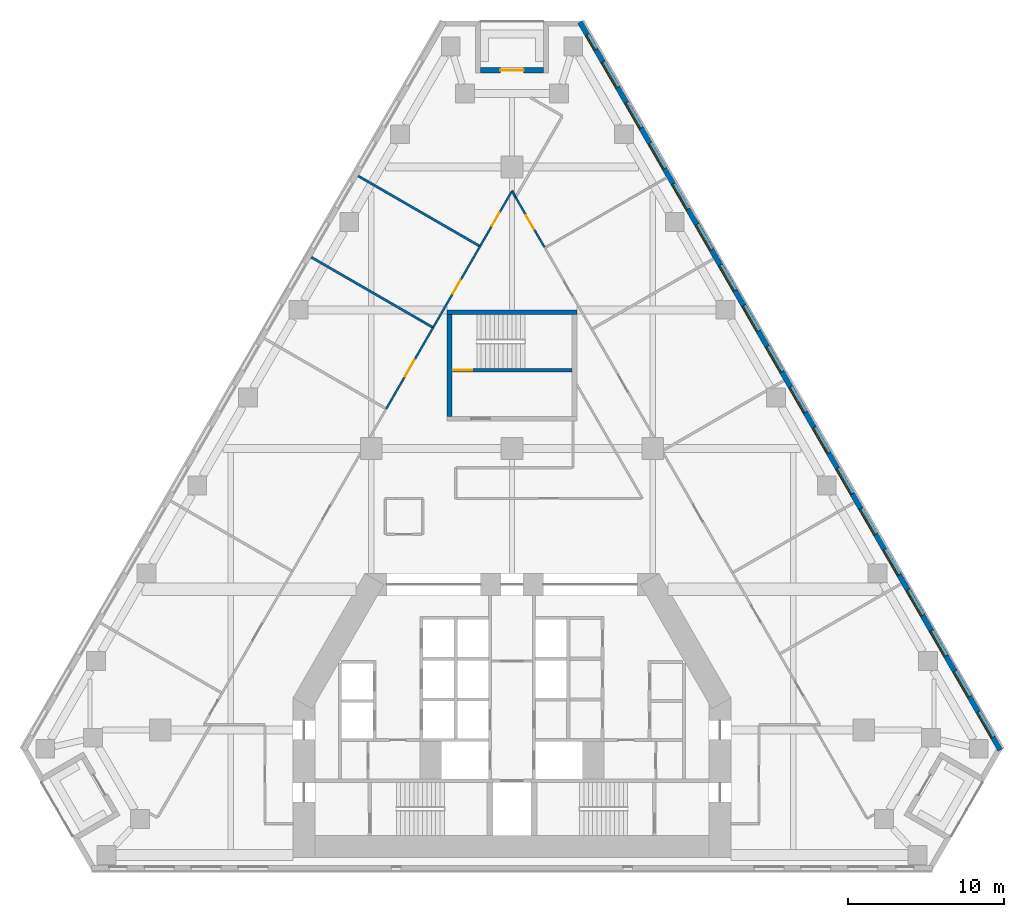
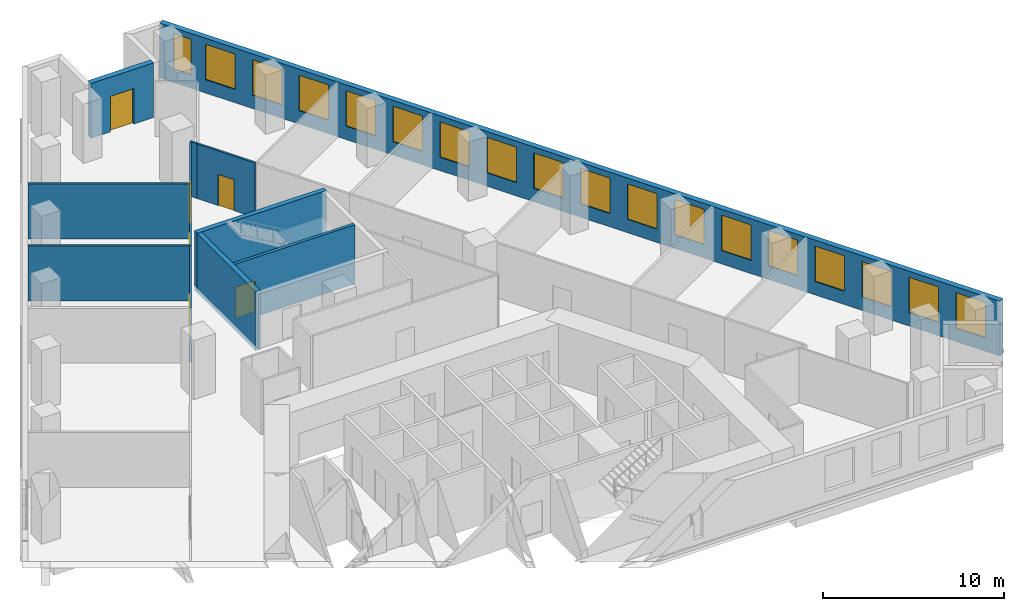
# One storey, part 7 of 9: 18 windows, 12 walls, 6 doors, 24 openings.
"""IFC4 building model written with IfcOpenShell, lengths in metres."""

from ifc_helpers import new_model, si_unit, direction, frame, frame_2d, origin, place, context, subcontext, project, spatial, rectangle, extrude, material, layer, layer_set, type_object, element, fill, save


model = new_model("IFC4")

# Units and contexts
model_context = context("Model", 3, precision=1e-05, world=origin(), true_north=direction((0.0, 1.0)))
body_context = subcontext(model_context, "Body", "Model", "MODEL_VIEW")
ifc_project = project(units=[si_unit("LENGTHUNIT", "METRE"), si_unit("AREAUNIT", "SQUARE_METRE"), si_unit("VOLUMEUNIT", "CUBIC_METRE"), si_unit("PLANEANGLEUNIT", "RADIAN"), si_unit("MASSUNIT", "GRAM", prefix="KILO")], contexts=[model_context])

# Site, building, storey
site_placement = place(None, origin())
site = spatial("IfcSite", under=ifc_project, at=site_placement, CompositionType="ELEMENT")
building_placement = place(site_placement, origin())
building = spatial("IfcBuilding", under=site, at=building_placement, Name="Fogline Exchange Tower", CompositionType="ELEMENT")
storey_placement = place(building_placement, frame((0.0, 0.0, 64.89990234375)))
storey = spatial("IfcBuildingStorey", under=building, at=storey_placement, Name="L13", CompositionType="ELEMENT", Elevation=64.89990234375)

# Wall, opening, door
ifc_material_1 = material(Name="Concrete C40", Category="concrete")
ifc_layer_1 = layer(ifc_material_1, 0.199951171875)
ifc_layer_set_1 = layer_set([ifc_layer_1], Name="CW20R")
wall_type_1 = type_object("IfcWallType", Name="CW20R", PredefinedType="SOLIDWALL", material=ifc_layer_set_1)
wall_1_placement = place(storey_placement, frame((-3.85009765625, 32.007080078125, -0.2998046875), z_axis=(0.0, 0.0, 1.0), x_axis=(1.0, 0.0, 0.0)))
wall_1 = element("IfcWall", 1, at=wall_1_placement, inside=storey, type_object=wall_type_1, Name="Stair enclosure wall ST3", PredefinedType="SOLIDWALL", context=body_context, shape_type="SweptSolid", body=[
    extrude(rectangle(XDim=7.7001953125, YDim=0.199951171875, at=frame_2d((3.85009765625, 0.0))), origin(), (0.0, 0.0, 1.0), 4.0),
])
opening_1_placement = place(wall_1_placement, frame((0.10009765625, 0.0, 0.300048828125)))
opening_1 = element("IfcOpeningElement", 2, at=opening_1_placement, cuts=wall_1, Name="Opening T04-C022", PredefinedType="OPENING", context=body_context, shape_type="SweptSolid", body=[
    extrude(rectangle(XDim=1.199951171875, YDim=2.10009765625, at=frame_2d((0.60009765625, 1.050048828125))), frame((0.0, 0.10986328125, 0.0), z_axis=(0.0, -1.0, 0.0), x_axis=(1.0, 0.0, 0.0)), (0.0, 0.0, 1.0), 0.219970703125),
])
ifc_material_2 = material(Name="Steel and timber fire door", Category="steel")
door_type_1 = type_object("IfcDoorType", Name="D-ST1", OperationType="SINGLE_SWING_LEFT", PredefinedType="DOOR", material=ifc_material_2)
door_1_placement = place(opening_1_placement, origin())
door_1 = element("IfcDoor", 3, at=door_1_placement, inside=storey, type_object=door_type_1, Name="Stair door ST3", OperationType="SINGLE_SWING_LEFT", OverallHeight=2.10009765625, OverallWidth=1.199951171875, PredefinedType="DOOR", context=body_context, shape_type="SweptSolid", body=[
    extrude(rectangle(XDim=1.199951171875, YDim=2.10009765625, at=frame_2d((0.60009765625, 1.050048828125))), frame((0.0, 0.02490234375, 0.0), z_axis=(0.0, -1.0, 0.0), x_axis=(1.0, 0.0, 0.0)), (0.0, 0.0, 1.0), 0.050048828125),
])
fill(opening_1, door_1)

# Walls
ifc_layer_2 = layer(ifc_material_1, 0.300048828125)
ifc_layer_set_2 = layer_set([ifc_layer_2], Name="CW30")
wall_type_2 = type_object("IfcWallType", Name="CW30", PredefinedType="SOLIDWALL", material=ifc_layer_set_2)
wall_2_placement = place(storey_placement, frame((-4.14990234375, 35.70703125, -0.2998046875), z_axis=(0.0, 0.0, 1.0), x_axis=(1.0, 0.0, 0.0)))
element("IfcWall", 4, at=wall_2_placement, inside=storey, type_object=wall_type_2, Name="Stair enclosure wall ST3", PredefinedType="SOLIDWALL", context=body_context, shape_type="SweptSolid", body=[
    extrude(rectangle(XDim=8.2998046875, YDim=0.300048828125, at=frame_2d((4.14990234375, 0.0))), origin(), (0.0, 0.0, 1.0), 4.0),
])
wall_3_placement = place(storey_placement, frame((-4.0, 29.056884765625, -0.2998046875), z_axis=(0.0, 0.0, 1.0), x_axis=(0.0, 1.0, 0.0)))
element("IfcWall", 5, at=wall_3_placement, inside=storey, type_object=wall_type_2, Name="Stair enclosure wall ST3", PredefinedType="SOLIDWALL", context=body_context, shape_type="SweptSolid", body=[
    extrude(rectangle(XDim=6.5, YDim=0.300048828125, at=frame_2d((3.25, 0.0))), origin(), (0.0, 0.0, 1.0), 4.0),
])

# Wall, openings, windows
ifc_material_3 = material(Name="Brick masonry", Category="masonry")
ifc_layer_3 = layer(ifc_material_3, 0.340087890625)
ifc_layer_set_3 = layer_set([ifc_layer_3], Name="FW1")
wall_type_3 = type_object("IfcWallType", Name="FW1", PredefinedType="SOLIDWALL", material=ifc_layer_set_3)
wall_4_placement = place(storey_placement, frame((31.235595703125, 7.709228515625, 0.0), z_axis=(0.0, 0.0, 1.0), x_axis=(-0.499999171277, 0.866025882247, 0.0)))
wall_4 = element("IfcWall", 6, at=wall_4_placement, inside=storey, type_object=wall_type_3, Name="Brick wall L13 E", PredefinedType="SOLIDWALL", context=body_context, shape_type="SweptSolid", body=[
    extrude(rectangle(XDim=53.765625, YDim=0.340087890625, at=frame_2d((26.8828125, 0.0))), origin(), (0.0, 0.0, 1.0), 3.7001953125),
])
opening_2_placement = place(wall_4_placement, frame((0.94140625, 0.0, 0.89990234375)))
opening_2 = element("IfcOpeningElement", 7, at=opening_2_placement, cuts=wall_4, Name="Opening W1", PredefinedType="OPENING", context=body_context, shape_type="SweptSolid", body=[
    extrude(rectangle(XDim=1.885009765625, YDim=2.39990234375, at=frame_2d((0.9423828125, 1.199951171875))), frame((0.0, 0.18017578125, 0.0), z_axis=(0.0, -1.0, 0.0), x_axis=(1.0, 0.0, 0.0)), (0.0, 0.0, 1.0), 0.360107421875),
])
opening_3_placement = place(wall_4_placement, frame((3.94140625, 0.0, 0.89990234375)))
opening_3 = element("IfcOpeningElement", 8, at=opening_3_placement, cuts=wall_4, Name="Opening W1", PredefinedType="OPENING", context=body_context, shape_type="SweptSolid", body=[
    extrude(rectangle(XDim=1.885009765625, YDim=2.39990234375, at=frame_2d((0.9423828125, 1.199951171875))), frame((0.0, 0.18017578125, 0.0), z_axis=(0.0, -1.0, 0.0), x_axis=(1.0, 0.0, 0.0)), (0.0, 0.0, 1.0), 0.360107421875),
])
opening_4_placement = place(wall_4_placement, frame((6.94140625, 0.0, 0.89990234375)))
opening_4 = element("IfcOpeningElement", 9, at=opening_4_placement, cuts=wall_4, Name="Opening W1", PredefinedType="OPENING", context=body_context, shape_type="SweptSolid", body=[
    extrude(rectangle(XDim=1.885009765625, YDim=2.39990234375, at=frame_2d((0.9423828125, 1.199951171875))), frame((0.0, 0.18017578125, 0.0), z_axis=(0.0, -1.0, 0.0), x_axis=(1.0, 0.0, 0.0)), (0.0, 0.0, 1.0), 0.360107421875),
])
opening_5_placement = place(wall_4_placement, frame((9.94140625, 0.0, 0.89990234375)))
opening_5 = element("IfcOpeningElement", 10, at=opening_5_placement, cuts=wall_4, Name="Opening W1", PredefinedType="OPENING", context=body_context, shape_type="SweptSolid", body=[
    extrude(rectangle(XDim=1.885009765625, YDim=2.39990234375, at=frame_2d((0.9423828125, 1.199951171875))), frame((0.0, 0.18017578125, 0.0), z_axis=(0.0, -1.0, 0.0), x_axis=(1.0, 0.0, 0.0)), (0.0, 0.0, 1.0), 0.360107421875),
])
opening_6_placement = place(wall_4_placement, frame((12.94140625, 0.0, 0.89990234375)))
opening_6 = element("IfcOpeningElement", 11, at=opening_6_placement, cuts=wall_4, Name="Opening W1", PredefinedType="OPENING", context=body_context, shape_type="SweptSolid", body=[
    extrude(rectangle(XDim=1.885009765625, YDim=2.39990234375, at=frame_2d((0.9423828125, 1.199951171875))), frame((0.0, 0.18017578125, 0.0), z_axis=(0.0, -1.0, 0.0), x_axis=(1.0, 0.0, 0.0)), (0.0, 0.0, 1.0), 0.360107421875),
])
opening_7_placement = place(wall_4_placement, frame((15.94140625, 0.0, 0.89990234375)))
opening_7 = element("IfcOpeningElement", 12, at=opening_7_placement, cuts=wall_4, Name="Opening W1", PredefinedType="OPENING", context=body_context, shape_type="SweptSolid", body=[
    extrude(rectangle(XDim=1.885009765625, YDim=2.39990234375, at=frame_2d((0.9423828125, 1.199951171875))), frame((0.0, 0.18017578125, 0.0), z_axis=(0.0, -1.0, 0.0), x_axis=(1.0, 0.0, 0.0)), (0.0, 0.0, 1.0), 0.360107421875),
])
opening_8_placement = place(wall_4_placement, frame((18.94140625, 0.0, 0.89990234375)))
opening_8 = element("IfcOpeningElement", 13, at=opening_8_placement, cuts=wall_4, Name="Opening W1", PredefinedType="OPENING", context=body_context, shape_type="SweptSolid", body=[
    extrude(rectangle(XDim=1.885009765625, YDim=2.39990234375, at=frame_2d((0.9423828125, 1.199951171875))), frame((0.0, 0.18017578125, 0.0), z_axis=(0.0, -1.0, 0.0), x_axis=(1.0, 0.0, 0.0)), (0.0, 0.0, 1.0), 0.360107421875),
])
opening_9_placement = place(wall_4_placement, frame((21.94140625, 0.0, 0.89990234375)))
opening_9 = element("IfcOpeningElement", 14, at=opening_9_placement, cuts=wall_4, Name="Opening W1", PredefinedType="OPENING", context=body_context, shape_type="SweptSolid", body=[
    extrude(rectangle(XDim=1.885009765625, YDim=2.39990234375, at=frame_2d((0.9423828125, 1.199951171875))), frame((0.0, 0.18017578125, 0.0), z_axis=(0.0, -1.0, 0.0), x_axis=(1.0, 0.0, 0.0)), (0.0, 0.0, 1.0), 0.360107421875),
])
opening_10_placement = place(wall_4_placement, frame((24.94140625, 0.0, 0.89990234375)))
opening_10 = element("IfcOpeningElement", 15, at=opening_10_placement, cuts=wall_4, Name="Opening W1", PredefinedType="OPENING", context=body_context, shape_type="SweptSolid", body=[
    extrude(rectangle(XDim=1.885009765625, YDim=2.39990234375, at=frame_2d((0.9423828125, 1.199951171875))), frame((0.0, 0.18017578125, 0.0), z_axis=(0.0, -1.0, 0.0), x_axis=(1.0, 0.0, 0.0)), (0.0, 0.0, 1.0), 0.360107421875),
])
opening_11_placement = place(wall_4_placement, frame((27.94140625, 0.0, 0.89990234375)))
opening_11 = element("IfcOpeningElement", 16, at=opening_11_placement, cuts=wall_4, Name="Opening W1", PredefinedType="OPENING", context=body_context, shape_type="SweptSolid", body=[
    extrude(rectangle(XDim=1.885009765625, YDim=2.39990234375, at=frame_2d((0.9423828125, 1.199951171875))), frame((0.0, 0.18017578125, 0.0), z_axis=(0.0, -1.0, 0.0), x_axis=(1.0, 0.0, 0.0)), (0.0, 0.0, 1.0), 0.360107421875),
])
opening_12_placement = place(wall_4_placement, frame((30.94140625, 0.0, 0.89990234375)))
opening_12 = element("IfcOpeningElement", 17, at=opening_12_placement, cuts=wall_4, Name="Opening W1", PredefinedType="OPENING", context=body_context, shape_type="SweptSolid", body=[
    extrude(rectangle(XDim=1.885009765625, YDim=2.39990234375, at=frame_2d((0.9423828125, 1.199951171875))), frame((0.0, 0.18017578125, 0.0), z_axis=(0.0, -1.0, 0.0), x_axis=(1.0, 0.0, 0.0)), (0.0, 0.0, 1.0), 0.360107421875),
])
opening_13_placement = place(wall_4_placement, frame((33.94140625, 0.0, 0.89990234375)))
opening_13 = element("IfcOpeningElement", 18, at=opening_13_placement, cuts=wall_4, Name="Opening W1", PredefinedType="OPENING", context=body_context, shape_type="SweptSolid", body=[
    extrude(rectangle(XDim=1.885009765625, YDim=2.39990234375, at=frame_2d((0.9423828125, 1.199951171875))), frame((0.0, 0.18017578125, 0.0), z_axis=(0.0, -1.0, 0.0), x_axis=(1.0, 0.0, 0.0)), (0.0, 0.0, 1.0), 0.360107421875),
])
opening_14_placement = place(wall_4_placement, frame((36.94140625, 0.0, 0.89990234375)))
opening_14 = element("IfcOpeningElement", 19, at=opening_14_placement, cuts=wall_4, Name="Opening W1", PredefinedType="OPENING", context=body_context, shape_type="SweptSolid", body=[
    extrude(rectangle(XDim=1.885009765625, YDim=2.39990234375, at=frame_2d((0.9423828125, 1.199951171875))), frame((0.0, 0.18017578125, 0.0), z_axis=(0.0, -1.0, 0.0), x_axis=(1.0, 0.0, 0.0)), (0.0, 0.0, 1.0), 0.360107421875),
])
opening_15_placement = place(wall_4_placement, frame((39.94140625, 0.0, 0.89990234375)))
opening_15 = element("IfcOpeningElement", 20, at=opening_15_placement, cuts=wall_4, Name="Opening W1", PredefinedType="OPENING", context=body_context, shape_type="SweptSolid", body=[
    extrude(rectangle(XDim=1.885009765625, YDim=2.39990234375, at=frame_2d((0.9423828125, 1.199951171875))), frame((0.0, 0.18017578125, 0.0), z_axis=(0.0, -1.0, 0.0), x_axis=(1.0, 0.0, 0.0)), (0.0, 0.0, 1.0), 0.360107421875),
])
opening_16_placement = place(wall_4_placement, frame((42.94140625, 0.0, 0.89990234375)))
opening_16 = element("IfcOpeningElement", 21, at=opening_16_placement, cuts=wall_4, Name="Opening W1", PredefinedType="OPENING", context=body_context, shape_type="SweptSolid", body=[
    extrude(rectangle(XDim=1.885009765625, YDim=2.39990234375, at=frame_2d((0.9423828125, 1.199951171875))), frame((0.0, 0.18017578125, 0.0), z_axis=(0.0, -1.0, 0.0), x_axis=(1.0, 0.0, 0.0)), (0.0, 0.0, 1.0), 0.360107421875),
])
opening_17_placement = place(wall_4_placement, frame((45.94140625, 0.0, 0.89990234375)))
opening_17 = element("IfcOpeningElement", 22, at=opening_17_placement, cuts=wall_4, Name="Opening W1", PredefinedType="OPENING", context=body_context, shape_type="SweptSolid", body=[
    extrude(rectangle(XDim=1.885009765625, YDim=2.39990234375, at=frame_2d((0.9423828125, 1.199951171875))), frame((0.0, 0.18017578125, 0.0), z_axis=(0.0, -1.0, 0.0), x_axis=(1.0, 0.0, 0.0)), (0.0, 0.0, 1.0), 0.360107421875),
])
opening_18_placement = place(wall_4_placement, frame((48.94140625, 0.0, 0.89990234375)))
opening_18 = element("IfcOpeningElement", 23, at=opening_18_placement, cuts=wall_4, Name="Opening W1", PredefinedType="OPENING", context=body_context, shape_type="SweptSolid", body=[
    extrude(rectangle(XDim=1.885009765625, YDim=2.39990234375, at=frame_2d((0.9423828125, 1.199951171875))), frame((0.0, 0.18017578125, 0.0), z_axis=(0.0, -1.0, 0.0), x_axis=(1.0, 0.0, 0.0)), (0.0, 0.0, 1.0), 0.360107421875),
])
opening_19_placement = place(wall_4_placement, frame((51.738525390625, 0.0, 0.89990234375)))
opening_19 = element("IfcOpeningElement", 24, at=opening_19_placement, cuts=wall_4, Name="Opening W4", PredefinedType="OPENING", context=body_context, shape_type="SweptSolid", body=[
    extrude(rectangle(XDim=1.114990234375, YDim=2.39990234375, at=frame_2d((0.5576171875, 1.199951171875))), frame((0.0, 0.18017578125, 0.0), z_axis=(0.0, -1.0, 0.0), x_axis=(1.0, 0.0, 0.0)), (0.0, 0.0, 1.0), 0.360107421875),
])
ifc_material_4 = material(Name="Aluminium and glass", Category="aluminium")
window_type_1 = type_object("IfcWindowType", Name="W1", PartitioningType="SINGLE_PANEL", PredefinedType="WINDOW", material=ifc_material_4)
window_1_placement = place(opening_2_placement, origin())
window_1 = element("IfcWindow", 25, at=window_1_placement, inside=storey, type_object=window_type_1, Name="W1 W1", OverallHeight=2.39990234375, OverallWidth=1.885009765625, PartitioningType="SINGLE_PANEL", PredefinedType="WINDOW", context=body_context, shape_type="SweptSolid", body=[
    extrude(rectangle(XDim=1.885009765625, YDim=2.39990234375, at=frame_2d((0.9423828125, 1.199951171875))), frame((0.0, 0.110107421875, 0.0), z_axis=(0.0, -1.0, 0.0), x_axis=(1.0, 0.0, 0.0)), (0.0, 0.0, 1.0), 0.06005859375),
])
fill(opening_2, window_1)
window_2_placement = place(opening_3_placement, origin())
window_2 = element("IfcWindow", 26, at=window_2_placement, inside=storey, type_object=window_type_1, Name="W1 W1", OverallHeight=2.39990234375, OverallWidth=1.885009765625, PartitioningType="SINGLE_PANEL", PredefinedType="WINDOW", context=body_context, shape_type="SweptSolid", body=[
    extrude(rectangle(XDim=1.885009765625, YDim=2.39990234375, at=frame_2d((0.9423828125, 1.199951171875))), frame((0.0, 0.110107421875, 0.0), z_axis=(0.0, -1.0, 0.0), x_axis=(1.0, 0.0, 0.0)), (0.0, 0.0, 1.0), 0.06005859375),
])
fill(opening_3, window_2)
window_3_placement = place(opening_4_placement, origin())
window_3 = element("IfcWindow", 27, at=window_3_placement, inside=storey, type_object=window_type_1, Name="W1 W1", OverallHeight=2.39990234375, OverallWidth=1.885009765625, PartitioningType="SINGLE_PANEL", PredefinedType="WINDOW", context=body_context, shape_type="SweptSolid", body=[
    extrude(rectangle(XDim=1.885009765625, YDim=2.39990234375, at=frame_2d((0.9423828125, 1.199951171875))), frame((0.0, 0.110107421875, 0.0), z_axis=(0.0, -1.0, 0.0), x_axis=(1.0, 0.0, 0.0)), (0.0, 0.0, 1.0), 0.06005859375),
])
fill(opening_4, window_3)
window_4_placement = place(opening_5_placement, origin())
window_4 = element("IfcWindow", 28, at=window_4_placement, inside=storey, type_object=window_type_1, Name="W1 W1", OverallHeight=2.39990234375, OverallWidth=1.885009765625, PartitioningType="SINGLE_PANEL", PredefinedType="WINDOW", context=body_context, shape_type="SweptSolid", body=[
    extrude(rectangle(XDim=1.885009765625, YDim=2.39990234375, at=frame_2d((0.9423828125, 1.199951171875))), frame((0.0, 0.110107421875, 0.0), z_axis=(0.0, -1.0, 0.0), x_axis=(1.0, 0.0, 0.0)), (0.0, 0.0, 1.0), 0.06005859375),
])
fill(opening_5, window_4)
window_5_placement = place(opening_6_placement, origin())
window_5 = element("IfcWindow", 29, at=window_5_placement, inside=storey, type_object=window_type_1, Name="W1 W1", OverallHeight=2.39990234375, OverallWidth=1.885009765625, PartitioningType="SINGLE_PANEL", PredefinedType="WINDOW", context=body_context, shape_type="SweptSolid", body=[
    extrude(rectangle(XDim=1.885009765625, YDim=2.39990234375, at=frame_2d((0.9423828125, 1.199951171875))), frame((0.0, 0.110107421875, 0.0), z_axis=(0.0, -1.0, 0.0), x_axis=(1.0, 0.0, 0.0)), (0.0, 0.0, 1.0), 0.06005859375),
])
fill(opening_6, window_5)
window_6_placement = place(opening_7_placement, origin())
window_6 = element("IfcWindow", 30, at=window_6_placement, inside=storey, type_object=window_type_1, Name="W1 W1", OverallHeight=2.39990234375, OverallWidth=1.885009765625, PartitioningType="SINGLE_PANEL", PredefinedType="WINDOW", context=body_context, shape_type="SweptSolid", body=[
    extrude(rectangle(XDim=1.885009765625, YDim=2.39990234375, at=frame_2d((0.9423828125, 1.199951171875))), frame((0.0, 0.110107421875, 0.0), z_axis=(0.0, -1.0, 0.0), x_axis=(1.0, 0.0, 0.0)), (0.0, 0.0, 1.0), 0.06005859375),
])
fill(opening_7, window_6)
window_7_placement = place(opening_8_placement, origin())
window_7 = element("IfcWindow", 31, at=window_7_placement, inside=storey, type_object=window_type_1, Name="W1 W1", OverallHeight=2.39990234375, OverallWidth=1.885009765625, PartitioningType="SINGLE_PANEL", PredefinedType="WINDOW", context=body_context, shape_type="SweptSolid", body=[
    extrude(rectangle(XDim=1.885009765625, YDim=2.39990234375, at=frame_2d((0.9423828125, 1.199951171875))), frame((0.0, 0.110107421875, 0.0), z_axis=(0.0, -1.0, 0.0), x_axis=(1.0, 0.0, 0.0)), (0.0, 0.0, 1.0), 0.06005859375),
])
fill(opening_8, window_7)
window_8_placement = place(opening_9_placement, origin())
window_8 = element("IfcWindow", 32, at=window_8_placement, inside=storey, type_object=window_type_1, Name="W1 W1", OverallHeight=2.39990234375, OverallWidth=1.885009765625, PartitioningType="SINGLE_PANEL", PredefinedType="WINDOW", context=body_context, shape_type="SweptSolid", body=[
    extrude(rectangle(XDim=1.885009765625, YDim=2.39990234375, at=frame_2d((0.9423828125, 1.199951171875))), frame((0.0, 0.110107421875, 0.0), z_axis=(0.0, -1.0, 0.0), x_axis=(1.0, 0.0, 0.0)), (0.0, 0.0, 1.0), 0.06005859375),
])
fill(opening_9, window_8)
window_9_placement = place(opening_10_placement, origin())
window_9 = element("IfcWindow", 33, at=window_9_placement, inside=storey, type_object=window_type_1, Name="W1 W1", OverallHeight=2.39990234375, OverallWidth=1.885009765625, PartitioningType="SINGLE_PANEL", PredefinedType="WINDOW", context=body_context, shape_type="SweptSolid", body=[
    extrude(rectangle(XDim=1.885009765625, YDim=2.39990234375, at=frame_2d((0.9423828125, 1.199951171875))), frame((0.0, 0.110107421875, 0.0), z_axis=(0.0, -1.0, 0.0), x_axis=(1.0, 0.0, 0.0)), (0.0, 0.0, 1.0), 0.06005859375),
])
fill(opening_10, window_9)
window_10_placement = place(opening_11_placement, origin())
window_10 = element("IfcWindow", 34, at=window_10_placement, inside=storey, type_object=window_type_1, Name="W1 W1", OverallHeight=2.39990234375, OverallWidth=1.885009765625, PartitioningType="SINGLE_PANEL", PredefinedType="WINDOW", context=body_context, shape_type="SweptSolid", body=[
    extrude(rectangle(XDim=1.885009765625, YDim=2.39990234375, at=frame_2d((0.9423828125, 1.199951171875))), frame((0.0, 0.110107421875, 0.0), z_axis=(0.0, -1.0, 0.0), x_axis=(1.0, 0.0, 0.0)), (0.0, 0.0, 1.0), 0.06005859375),
])
fill(opening_11, window_10)
window_11_placement = place(opening_12_placement, origin())
window_11 = element("IfcWindow", 35, at=window_11_placement, inside=storey, type_object=window_type_1, Name="W1 W1", OverallHeight=2.39990234375, OverallWidth=1.885009765625, PartitioningType="SINGLE_PANEL", PredefinedType="WINDOW", context=body_context, shape_type="SweptSolid", body=[
    extrude(rectangle(XDim=1.885009765625, YDim=2.39990234375, at=frame_2d((0.9423828125, 1.199951171875))), frame((0.0, 0.110107421875, 0.0), z_axis=(0.0, -1.0, 0.0), x_axis=(1.0, 0.0, 0.0)), (0.0, 0.0, 1.0), 0.06005859375),
])
fill(opening_12, window_11)
window_12_placement = place(opening_13_placement, origin())
window_12 = element("IfcWindow", 36, at=window_12_placement, inside=storey, type_object=window_type_1, Name="W1 W1", OverallHeight=2.39990234375, OverallWidth=1.885009765625, PartitioningType="SINGLE_PANEL", PredefinedType="WINDOW", context=body_context, shape_type="SweptSolid", body=[
    extrude(rectangle(XDim=1.885009765625, YDim=2.39990234375, at=frame_2d((0.9423828125, 1.199951171875))), frame((0.0, 0.110107421875, 0.0), z_axis=(0.0, -1.0, 0.0), x_axis=(1.0, 0.0, 0.0)), (0.0, 0.0, 1.0), 0.06005859375),
])
fill(opening_13, window_12)
window_13_placement = place(opening_14_placement, origin())
window_13 = element("IfcWindow", 37, at=window_13_placement, inside=storey, type_object=window_type_1, Name="W1 W1", OverallHeight=2.39990234375, OverallWidth=1.885009765625, PartitioningType="SINGLE_PANEL", PredefinedType="WINDOW", context=body_context, shape_type="SweptSolid", body=[
    extrude(rectangle(XDim=1.885009765625, YDim=2.39990234375, at=frame_2d((0.9423828125, 1.199951171875))), frame((0.0, 0.110107421875, 0.0), z_axis=(0.0, -1.0, 0.0), x_axis=(1.0, 0.0, 0.0)), (0.0, 0.0, 1.0), 0.06005859375),
])
fill(opening_14, window_13)
window_14_placement = place(opening_15_placement, origin())
window_14 = element("IfcWindow", 38, at=window_14_placement, inside=storey, type_object=window_type_1, Name="W1 W1", OverallHeight=2.39990234375, OverallWidth=1.885009765625, PartitioningType="SINGLE_PANEL", PredefinedType="WINDOW", context=body_context, shape_type="SweptSolid", body=[
    extrude(rectangle(XDim=1.885009765625, YDim=2.39990234375, at=frame_2d((0.9423828125, 1.199951171875))), frame((0.0, 0.110107421875, 0.0), z_axis=(0.0, -1.0, 0.0), x_axis=(1.0, 0.0, 0.0)), (0.0, 0.0, 1.0), 0.06005859375),
])
fill(opening_15, window_14)
window_15_placement = place(opening_16_placement, origin())
window_15 = element("IfcWindow", 39, at=window_15_placement, inside=storey, type_object=window_type_1, Name="W1 W1", OverallHeight=2.39990234375, OverallWidth=1.885009765625, PartitioningType="SINGLE_PANEL", PredefinedType="WINDOW", context=body_context, shape_type="SweptSolid", body=[
    extrude(rectangle(XDim=1.885009765625, YDim=2.39990234375, at=frame_2d((0.9423828125, 1.199951171875))), frame((0.0, 0.110107421875, 0.0), z_axis=(0.0, -1.0, 0.0), x_axis=(1.0, 0.0, 0.0)), (0.0, 0.0, 1.0), 0.06005859375),
])
fill(opening_16, window_15)
window_16_placement = place(opening_17_placement, origin())
window_16 = element("IfcWindow", 40, at=window_16_placement, inside=storey, type_object=window_type_1, Name="W1 W1", OverallHeight=2.39990234375, OverallWidth=1.885009765625, PartitioningType="SINGLE_PANEL", PredefinedType="WINDOW", context=body_context, shape_type="SweptSolid", body=[
    extrude(rectangle(XDim=1.885009765625, YDim=2.39990234375, at=frame_2d((0.9423828125, 1.199951171875))), frame((0.0, 0.110107421875, 0.0), z_axis=(0.0, -1.0, 0.0), x_axis=(1.0, 0.0, 0.0)), (0.0, 0.0, 1.0), 0.06005859375),
])
fill(opening_17, window_16)
window_17_placement = place(opening_18_placement, origin())
window_17 = element("IfcWindow", 41, at=window_17_placement, inside=storey, type_object=window_type_1, Name="W1 W1", OverallHeight=2.39990234375, OverallWidth=1.885009765625, PartitioningType="SINGLE_PANEL", PredefinedType="WINDOW", context=body_context, shape_type="SweptSolid", body=[
    extrude(rectangle(XDim=1.885009765625, YDim=2.39990234375, at=frame_2d((0.9423828125, 1.199951171875))), frame((0.0, 0.110107421875, 0.0), z_axis=(0.0, -1.0, 0.0), x_axis=(1.0, 0.0, 0.0)), (0.0, 0.0, 1.0), 0.06005859375),
])
fill(opening_18, window_17)
window_type_2 = type_object("IfcWindowType", Name="W4", PartitioningType="SINGLE_PANEL", PredefinedType="WINDOW", material=ifc_material_4)
window_18_placement = place(opening_19_placement, origin())
window_18 = element("IfcWindow", 42, at=window_18_placement, inside=storey, type_object=window_type_2, Name="W4 W4", OverallHeight=2.39990234375, OverallWidth=1.114990234375, PartitioningType="SINGLE_PANEL", PredefinedType="WINDOW", context=body_context, shape_type="SweptSolid", body=[
    extrude(rectangle(XDim=1.114990234375, YDim=2.39990234375, at=frame_2d((0.5576171875, 1.199951171875))), frame((0.0, 0.110107421875, 0.0), z_axis=(0.0, -1.0, 0.0), x_axis=(1.0, 0.0, 0.0)), (0.0, 0.0, 1.0), 0.06005859375),
])
fill(opening_19, window_18)

# Wall, opening, door
wall_5_placement = place(storey_placement, frame((2.0, 51.186767578125, 0.0), z_axis=(0.0, 0.0, 1.0), x_axis=(-1.0, 0.0, 0.0)))
wall_5 = element("IfcWall", 43, at=wall_5_placement, inside=storey, type_object=wall_type_3, Name="Brick wall L13 N-bk", PredefinedType="SOLIDWALL", context=body_context, shape_type="SweptSolid", body=[
    extrude(rectangle(XDim=4.0, YDim=0.340087890625, at=frame_2d((2.0, 0.0))), origin(), (0.0, 0.0, 1.0), 3.7001953125),
])
opening_20_placement = place(wall_5_placement, frame((1.25, 0.0, 0.0)))
opening_20 = element("IfcOpeningElement", 44, at=opening_20_placement, cuts=wall_5, Name="Opening T04-E141", PredefinedType="OPENING", context=body_context, shape_type="SweptSolid", body=[
    extrude(rectangle(XDim=1.5, YDim=2.39990234375, at=frame_2d((0.75, 1.199951171875))), frame((0.0, 0.18017578125, 0.0), z_axis=(0.0, -1.0, 0.0), x_axis=(1.0, 0.0, 0.0)), (0.0, 0.0, 1.0), 0.360107421875),
])
door_type_2 = type_object("IfcDoorType", Name="ED4", OperationType="SINGLE_SWING_LEFT", PredefinedType="DOOR", material=ifc_material_4)
door_2_placement = place(opening_20_placement, frame((1.5, 0.0, 0.0), z_axis=(0.0, 0.0, 1.0), x_axis=(-1.0, 0.0, 0.0)))
door_2 = element("IfcDoor", 45, at=door_2_placement, inside=storey, type_object=door_type_2, Name="Balcony door L13 N", OperationType="DOUBLE_DOOR_SINGLE_SWING", OverallHeight=2.39990234375, OverallWidth=1.5, PredefinedType="DOOR", context=body_context, shape_type="SweptSolid", body=[
    extrude(rectangle(XDim=1.5, YDim=2.39990234375, at=frame_2d((0.75, 1.199951171875))), frame((0.0, 0.02490234375, 0.0), z_axis=(0.0, -1.0, 0.0), x_axis=(1.0, 0.0, 0.0)), (0.0, 0.0, 1.0), 0.050048828125),
])
fill(opening_20, door_2)

ifc_material_5 = material(Name="Plasterboard corridor partition with mineral wool, 2 layers each side")
ifc_layer_4 = layer(ifc_material_5, 0.125)
ifc_layer_set_4 = layer_set([ifc_layer_4], Name="PW2")
wall_type_4 = type_object("IfcWallType", Name="PW2", PredefinedType="PARTITIONING", material=ifc_layer_set_4)
wall_6_placement = place(storey_placement, frame((0.23095703125, 43.07080078125, 0.0), z_axis=(0.0, 0.0, 1.0), x_axis=(0.500001035316, -0.866024806044, 0.0)))
wall_6 = element("IfcWall", 46, at=wall_6_placement, inside=storey, type_object=wall_type_4, Name="wall-L13-W013", PredefinedType="PARTITIONING", context=body_context, shape_type="SweptSolid", body=[
    extrude(rectangle(XDim=3.69189453125, YDim=0.125, at=frame_2d((1.845947265625, 0.0))), origin(), (0.0, 0.0, 1.0), 3.7001953125),
])
opening_21_placement = place(wall_6_placement, frame((1.345947265625, 0.0, 0.0)))
opening_21 = element("IfcOpeningElement", 47, at=opening_21_placement, cuts=wall_6, Name="Opening T04-D008", PredefinedType="OPENING", context=body_context, shape_type="SweptSolid", body=[
    extrude(rectangle(XDim=1.0, YDim=2.10009765625, at=frame_2d((0.5, 1.050048828125))), frame((0.0, 0.072509765625, 0.0), z_axis=(0.0, -1.0, 0.0), x_axis=(1.0, 0.0, 0.0)), (0.0, 0.0, 1.0), 0.14501953125),
])
ifc_material_6 = material(Name="Fire-rated timber door leaf with steel frame", Category="steel")
door_type_3 = type_object("IfcDoorType", Name="D3", OperationType="SINGLE_SWING_LEFT", PredefinedType="DOOR", material=ifc_material_6)
door_3_placement = place(opening_21_placement, origin())
door_3 = element("IfcDoor", 48, at=door_3_placement, inside=storey, type_object=door_type_3, Name="door-L13-D008", OperationType="SINGLE_SWING_LEFT", OverallHeight=2.10009765625, OverallWidth=1.0, PredefinedType="DOOR", context=body_context, shape_type="SweptSolid", body=[
    extrude(rectangle(XDim=1.0, YDim=2.10009765625, at=frame_2d((0.5, 1.050048828125))), frame((0.0, 0.02490234375, 0.0), z_axis=(0.0, -1.0, 0.0), x_axis=(1.0, 0.0, 0.0)), (0.0, 0.0, 1.0), 0.050048828125),
])
fill(opening_21, door_3)

wall_7_placement = place(storey_placement, frame((-2.044677734375, 39.929443359375, 0.0), z_axis=(0.0, 0.0, 1.0), x_axis=(0.499991453095, 0.866030338286, 0.0)))
wall_7 = element("IfcWall", 49, at=wall_7_placement, inside=storey, type_object=wall_type_4, Name="wall-L13-W014", PredefinedType="PARTITIONING", context=body_context, shape_type="SweptSolid", body=[
    extrude(rectangle(XDim=3.98046875, YDim=0.125, at=frame_2d((1.990234375, 0.0))), origin(), (0.0, 0.0, 1.0), 3.7001953125),
])
opening_22_placement = place(wall_7_placement, frame((1.490234375, 0.0, 0.0)))
opening_22 = element("IfcOpeningElement", 50, at=opening_22_placement, cuts=wall_7, Name="Opening T04-D009", PredefinedType="OPENING", context=body_context, shape_type="SweptSolid", body=[
    extrude(rectangle(XDim=1.0, YDim=2.10009765625, at=frame_2d((0.5, 1.050048828125))), frame((0.0, 0.072509765625, 0.0), z_axis=(0.0, -1.0, 0.0), x_axis=(1.0, 0.0, 0.0)), (0.0, 0.0, 1.0), 0.14501953125),
])
door_4_placement = place(opening_22_placement, origin())
door_4 = element("IfcDoor", 51, at=door_4_placement, inside=storey, type_object=door_type_3, Name="door-L13-D009", OperationType="SINGLE_SWING_RIGHT", OverallHeight=2.10009765625, OverallWidth=1.0, PredefinedType="DOOR", context=body_context, shape_type="SweptSolid", body=[
    extrude(rectangle(XDim=1.0, YDim=2.10009765625, at=frame_2d((0.5, 1.050048828125))), frame((0.0, 0.02490234375, 0.0), z_axis=(0.0, -1.0, 0.0), x_axis=(1.0, 0.0, 0.0)), (0.0, 0.0, 1.0), 0.050048828125),
])
fill(opening_22, door_4)

# Wall
wall_8_placement = place(storey_placement, frame((0.0, 43.470947265625, 0.0), z_axis=(0.0, 0.0, 1.0), x_axis=(0.499890179513, -0.866088799389, 0.0)))
element("IfcWall", 52, at=wall_8_placement, inside=storey, type_object=wall_type_4, Name="wall-L13-W015", PredefinedType="PARTITIONING", context=body_context, shape_type="SweptSolid", body=[
    extrude(rectangle(XDim=0.4619140625, YDim=0.125, at=frame_2d((0.23095703125, 0.0))), origin(), (0.0, 0.0, 1.0), 3.7001953125),
])

# Wall, opening, door
wall_9_placement = place(storey_placement, frame((-5.044677734375, 34.733154296875, 0.0), z_axis=(0.0, 0.0, 1.0), x_axis=(0.499990139034, 0.866031096941, 0.0)))
wall_9 = element("IfcWall", 53, at=wall_9_placement, inside=storey, type_object=wall_type_4, Name="wall-L13-W016", PredefinedType="PARTITIONING", context=body_context, shape_type="SweptSolid", body=[
    extrude(rectangle(XDim=6.0, YDim=0.125, at=frame_2d((3.0, 0.0))), origin(), (0.0, 0.0, 1.0), 3.7001953125),
])
opening_23_placement = place(wall_9_placement, frame((2.5, 0.0, 0.0)))
opening_23 = element("IfcOpeningElement", 54, at=opening_23_placement, cuts=wall_9, Name="Opening T04-D010", PredefinedType="OPENING", context=body_context, shape_type="SweptSolid", body=[
    extrude(rectangle(XDim=1.0, YDim=2.10009765625, at=frame_2d((0.5, 1.050048828125))), frame((0.0, 0.072509765625, 0.0), z_axis=(0.0, -1.0, 0.0), x_axis=(1.0, 0.0, 0.0)), (0.0, 0.0, 1.0), 0.14501953125),
])
door_5_placement = place(opening_23_placement, origin())
door_5 = element("IfcDoor", 55, at=door_5_placement, inside=storey, type_object=door_type_3, Name="door-L13-D010", OperationType="SINGLE_SWING_LEFT", OverallHeight=2.10009765625, OverallWidth=1.0, PredefinedType="DOOR", context=body_context, shape_type="SweptSolid", body=[
    extrude(rectangle(XDim=1.0, YDim=2.10009765625, at=frame_2d((0.5, 1.050048828125))), frame((0.0, 0.02490234375, 0.0), z_axis=(0.0, -1.0, 0.0), x_axis=(1.0, 0.0, 0.0)), (0.0, 0.0, 1.0), 0.050048828125),
])
fill(opening_23, door_5)

wall_10_placement = place(storey_placement, frame((-8.044677734375, 29.537109375, 0.0), z_axis=(0.0, 0.0, 1.0), x_axis=(0.500007758305, 0.866020924479, 0.0)))
wall_10 = element("IfcWall", 56, at=wall_10_placement, inside=storey, type_object=wall_type_4, Name="wall-L13-W017", PredefinedType="PARTITIONING", context=body_context, shape_type="SweptSolid", body=[
    extrude(rectangle(XDim=6.0, YDim=0.125, at=frame_2d((3.0, 0.0))), origin(), (0.0, 0.0, 1.0), 3.7001953125),
])
opening_24_placement = place(wall_10_placement, frame((2.39990234375, 0.0, 0.0)))
opening_24 = element("IfcOpeningElement", 57, at=opening_24_placement, cuts=wall_10, Name="Opening T04-D011", PredefinedType="OPENING", context=body_context, shape_type="SweptSolid", body=[
    extrude(rectangle(XDim=1.199951171875, YDim=2.10009765625, at=frame_2d((0.60009765625, 1.050048828125))), frame((0.0, 0.072509765625, 0.0), z_axis=(0.0, -1.0, 0.0), x_axis=(1.0, 0.0, 0.0)), (0.0, 0.0, 1.0), 0.14501953125),
])
ifc_material_7 = material(Name="Fire-rated glazed door leaf with steel frame", Category="steel")
door_type_4 = type_object("IfcDoorType", Name="D5", OperationType="SINGLE_SWING_LEFT", PredefinedType="DOOR", material=ifc_material_7)
door_6_placement = place(opening_24_placement, origin())
door_6 = element("IfcDoor", 58, at=door_6_placement, inside=storey, type_object=door_type_4, Name="door-L13-D011", OperationType="SINGLE_SWING_RIGHT", OverallHeight=2.10009765625, OverallWidth=1.199951171875, PredefinedType="DOOR", context=body_context, shape_type="SweptSolid", body=[
    extrude(rectangle(XDim=1.199951171875, YDim=2.10009765625, at=frame_2d((0.60009765625, 1.050048828125))), frame((0.0, 0.02490234375, 0.0), z_axis=(0.0, -1.0, 0.0), x_axis=(1.0, 0.0, 0.0)), (0.0, 0.0, 1.0), 0.050048828125),
])
fill(opening_24, door_6)

# Walls
ifc_material_8 = material(Name="Plasterboard demising partition with mineral wool and acoustic board")
ifc_layer_5 = layer(ifc_material_8, 0.14990234375)
ifc_layer_set_5 = layer_set([ifc_layer_5], Name="PW3")
wall_type_5 = type_object("IfcWallType", Name="PW3", PredefinedType="PARTITIONING", material=ifc_layer_set_5)
for number, where, z_axis, x_axis, name in (
    (59, (-2.098876953125, 39.960693359375, 0.0), (0.0, 0.0, 1.0), (-0.866022276127, 0.500005417223, 0.0), "wall-L13-W040"),
    (60, (-5.098876953125, 34.764404296875, 0.0), (0.0, 0.0, 1.0), (-0.866022276127, 0.500005417223, 0.0), "wall-L13-W041"),
):
    element("IfcWall", number, at=place(storey_placement, frame(where, z_axis=z_axis, x_axis=x_axis)), inside=storey, type_object=wall_type_5, Name=name, PredefinedType="PARTITIONING", context=body_context, shape_type="SweptSolid", body=[
        extrude(rectangle(XDim=8.9375, YDim=0.14990234375, at=frame_2d((4.46875, 0.0))), origin(), (0.0, 0.0, 1.0), 3.7001953125),
    ])

save(model, "model.ifc")
